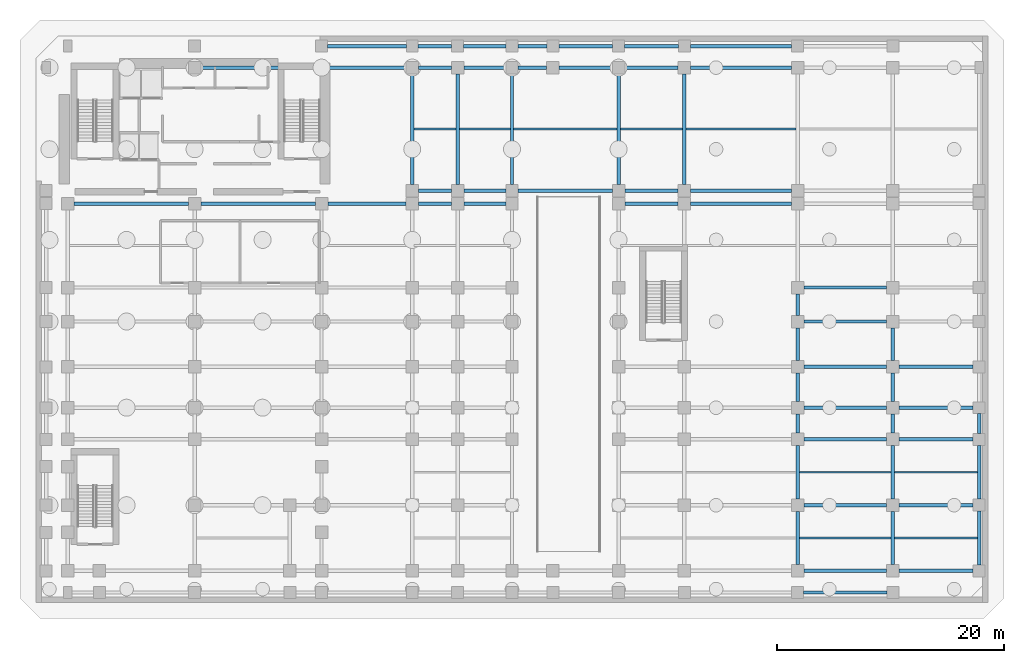
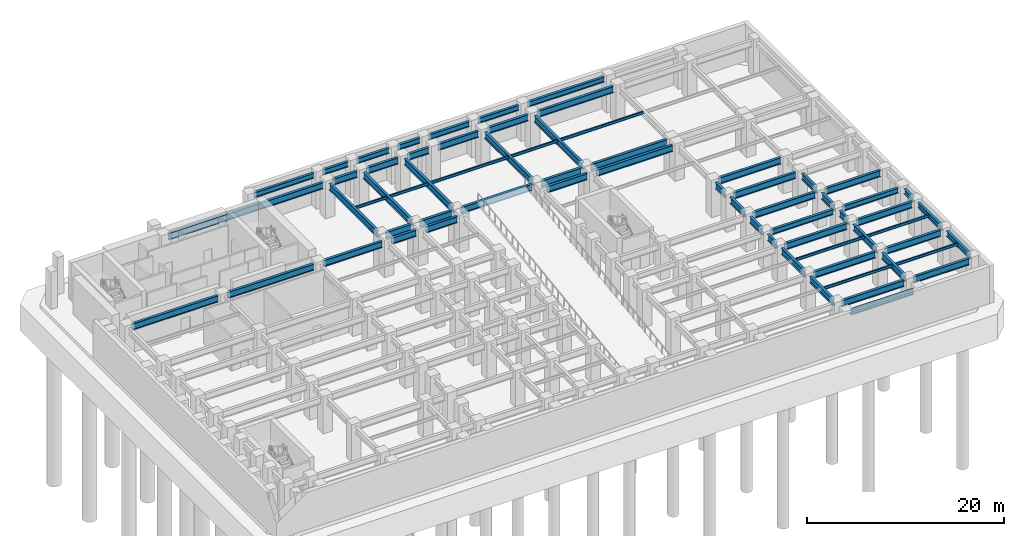
# One storey, part 4 of 13: 67 beams.
"""IFC4 building model written with IfcOpenShell, lengths in metres."""

from ifc_helpers import new_model, si_unit, direction, frame, origin, origin_2d, place, context, subcontext, project, spatial, i_section, extrude, material, material_profile, profile_set, type_object, element, save


model = new_model("IFC4")

# Units and contexts
model_context = context("Model", 3, precision=1e-05, world=origin(), true_north=direction((0.0, 1.0)))
body_context = subcontext(model_context, "Body", "Model", "MODEL_VIEW")
ifc_project = project(units=[si_unit("LENGTHUNIT", "METRE"), si_unit("AREAUNIT", "SQUARE_METRE"), si_unit("VOLUMEUNIT", "CUBIC_METRE"), si_unit("PLANEANGLEUNIT", "RADIAN"), si_unit("MASSUNIT", "GRAM", prefix="KILO")], contexts=[model_context])

# Site, building, storey
site_placement = place(None, origin())
site = spatial("IfcSite", under=ifc_project, at=site_placement, CompositionType="ELEMENT")
building_placement = place(site_placement, origin())
building = spatial("IfcBuilding", under=site, at=building_placement, Name="Kefirva Bronze Tower", CompositionType="ELEMENT")
storey_placement = place(building_placement, frame((0.0, 0.0, -9.239990234375)))
storey = spatial("IfcBuildingStorey", under=building, at=storey_placement, Name="B2", CompositionType="ELEMENT", Elevation=-9.239990234375)

# Beams
ifc_material = material(Name="Steel S355", Category="steel")
ifc_material_profile_1 = material_profile(ifc_material, i_section(OverallWidth=0.159912109375, OverallDepth=0.330078125, WebThickness=0.007568359375, FlangeThickness=0.011474609375, at=origin_2d()), Name="IPE 330")
ifc_profile_set_1 = profile_set([ifc_material_profile_1], Name="Steel S355")
beam_type_1 = type_object("IfcBeamType", Name="Steel Floor Joist IPE 330", PredefinedType="JOIST", material=ifc_profile_set_1)
beam_1_placement = place(storey_placement, frame((31.35009765625, 39.77490234375, 4.10498046875), z_axis=(1.0, 0.0, 0.0), x_axis=(0.0, 1.0, 0.0)))
element("IfcBeam", 1, at=beam_1_placement, inside=storey, type_object=beam_type_1, Name="B2 JST-B2-31-397", PredefinedType="JOIST", context=body_context, shape_type="SweptSolid", body=[
    extrude(i_section(OverallWidth=0.159912109375, OverallDepth=0.330078125, WebThickness=0.007568359375, FlangeThickness=0.011474609375, at=origin_2d()), origin(), (0.0, 0.0, 1.0), 3.699951171875),
])
beam_2_placement = place(storey_placement, frame((35.35009765625, 39.77490234375, 4.10498046875), z_axis=(1.0, 0.0, 0.0), x_axis=(0.0, 1.0, 0.0)))
element("IfcBeam", 2, at=beam_2_placement, inside=storey, type_object=beam_type_1, Name="B2 JST-B2-35-397", PredefinedType="JOIST", context=body_context, shape_type="SweptSolid", body=[
    extrude(i_section(OverallWidth=0.159912109375, OverallDepth=0.330078125, WebThickness=0.007568359375, FlangeThickness=0.011474609375, at=origin_2d()), origin(), (0.0, 0.0, 1.0), 4.5),
])
beam_3_placement = place(storey_placement, frame((40.14990234375, 39.77490234375, 4.10498046875), z_axis=(1.0, 0.0, 0.0), x_axis=(0.0, 1.0, 0.0)))
element("IfcBeam", 3, at=beam_3_placement, inside=storey, type_object=beam_type_1, Name="B2 JST-B2-40-397", PredefinedType="JOIST", context=body_context, shape_type="SweptSolid", body=[
    extrude(i_section(OverallWidth=0.159912109375, OverallDepth=0.330078125, WebThickness=0.007568359375, FlangeThickness=0.011474609375, at=origin_2d()), origin(), (0.0, 0.0, 1.0), 9.10009765625),
])
beam_4_placement = place(storey_placement, frame((49.550048828125, 39.77490234375, 4.10498046875), z_axis=(1.0, 0.0, 0.0), x_axis=(0.0, 1.0, 0.0)))
element("IfcBeam", 4, at=beam_4_placement, inside=storey, type_object=beam_type_1, Name="B2 JST-B2-49-397", PredefinedType="JOIST", context=body_context, shape_type="SweptSolid", body=[
    extrude(i_section(OverallWidth=0.159912109375, OverallDepth=0.330078125, WebThickness=0.007568359375, FlangeThickness=0.011474609375, at=origin_2d()), origin(), (0.0, 0.0, 1.0), 5.5),
])
beam_5_placement = place(storey_placement, frame((55.35009765625, 39.77490234375, 4.10498046875), z_axis=(1.0, 0.0, 0.0), x_axis=(0.0, 1.0, 0.0)))
element("IfcBeam", 5, at=beam_5_placement, inside=storey, type_object=beam_type_1, Name="B2 JST-B2-55-397", PredefinedType="JOIST", context=body_context, shape_type="SweptSolid", body=[
    extrude(i_section(OverallWidth=0.159912109375, OverallDepth=0.330078125, WebThickness=0.007568359375, FlangeThickness=0.011474609375, at=origin_2d()), origin(), (0.0, 0.0, 1.0), 9.699951171875),
])
for number, where, z_axis, x_axis, name in (
    (6, (65.35009765625, 3.699951171875, 4.10498046875), (1.0, 0.0, 0.0), (0.0, 1.0, 0.0), "B2 JST-B2-65-37"),
    (7, (65.35009765625, 9.5, 4.10498046875), (1.0, 0.0, 0.0), (0.0, 1.0, 0.0), "B2 JST-B2-65-95"),
):
    element("IfcBeam", number, at=place(storey_placement, frame(where, z_axis=z_axis, x_axis=x_axis)), inside=storey, type_object=beam_type_1, Name=name, PredefinedType="JOIST", context=body_context, shape_type="SweptSolid", body=[
        extrude(i_section(OverallWidth=0.159912109375, OverallDepth=0.330078125, WebThickness=0.007568359375, FlangeThickness=0.011474609375, at=origin_2d()), origin(), (0.0, 0.0, 1.0), 8.099853515625),
    ])
for number, where, z_axis, x_axis, name in (
    (8, (73.75, 3.699951171875, 4.10498046875), (1.0, 0.0, 0.0), (0.0, 1.0, 0.0), "B2 JST-B2-73-37"),
    (9, (73.75, 9.5, 4.10498046875), (1.0, 0.0, 0.0), (0.0, 1.0, 0.0), "B2 JST-B2-73-95"),
):
    element("IfcBeam", number, at=place(storey_placement, frame(where, z_axis=z_axis, x_axis=x_axis)), inside=storey, type_object=beam_type_1, Name=name, PredefinedType="JOIST", context=body_context, shape_type="SweptSolid", body=[
        extrude(i_section(OverallWidth=0.159912109375, OverallDepth=0.330078125, WebThickness=0.007568359375, FlangeThickness=0.011474609375, at=origin_2d()), origin(), (0.0, 0.0, 1.0), 7.300048828125),
    ])
ifc_material_profile_2 = material_profile(ifc_material, i_section(OverallWidth=0.300048828125, OverallDepth=0.800048828125, WebThickness=0.017578125, FlangeThickness=0.032958984375, at=origin_2d()), Name="HEB 800")
ifc_profile_set_2 = profile_set([ifc_material_profile_2], Name="Steel S355")
beam_type_2 = type_object("IfcBeamType", Name="Steel Girder HEB 800", PredefinedType="USERDEFINED", material=ifc_profile_set_2)
beam_6_placement = place(storey_placement, frame((65.75, 0.800048828125, 3.869873046875), z_axis=(1.0, 0.0, 0.0), x_axis=(0.0, 1.0, 0.0)))
element("IfcBeam", 10, at=beam_6_placement, inside=storey, type_object=beam_type_2, Name="B2 BM-B2-EW-65-8", ObjectType="GIRDER", PredefinedType="USERDEFINED", context=body_context, shape_type="SweptSolid", body=[
    extrude(i_section(OverallWidth=0.300048828125, OverallDepth=0.800048828125, WebThickness=0.017578125, FlangeThickness=0.032958984375, at=origin_2d()), origin(), (0.0, 0.0, 1.0), 7.300048828125),
])
beam_7_placement = place(storey_placement, frame((74.14990234375, 0.800048828125, 3.869873046875), z_axis=(1.0, 0.0, 0.0), x_axis=(0.0, 1.0, 0.0)))
element("IfcBeam", 11, at=beam_7_placement, inside=storey, type_object=beam_type_2, Name="B2 BM-B2-EW-73-8", ObjectType="GIRDER", PredefinedType="USERDEFINED", context=body_context, shape_type="SweptSolid", body=[
    extrude(i_section(OverallWidth=0.300048828125, OverallDepth=0.800048828125, WebThickness=0.017578125, FlangeThickness=0.032958984375, at=origin_2d()), origin(), (0.0, 0.0, 1.0), 6.525146484375),
])
beam_8_placement = place(storey_placement, frame((65.75, 6.60009765625, 3.869873046875), z_axis=(1.0, 0.0, 0.0), x_axis=(0.0, 1.0, 0.0)))
element("IfcBeam", 12, at=beam_8_placement, inside=storey, type_object=beam_type_2, Name="B2 BM-B2-EW-65-66", ObjectType="GIRDER", PredefinedType="USERDEFINED", context=body_context, shape_type="SweptSolid", body=[
    extrude(i_section(OverallWidth=0.300048828125, OverallDepth=0.800048828125, WebThickness=0.017578125, FlangeThickness=0.032958984375, at=origin_2d()), origin(), (0.0, 0.0, 1.0), 7.300048828125),
])
beam_9_placement = place(storey_placement, frame((74.14990234375, 6.60009765625, 3.869873046875), z_axis=(1.0, 0.0, 0.0), x_axis=(0.0, 1.0, 0.0)))
element("IfcBeam", 13, at=beam_9_placement, inside=storey, type_object=beam_type_2, Name="B2 BM-B2-EW-73-66", ObjectType="GIRDER", PredefinedType="USERDEFINED", context=body_context, shape_type="SweptSolid", body=[
    extrude(i_section(OverallWidth=0.300048828125, OverallDepth=0.800048828125, WebThickness=0.017578125, FlangeThickness=0.032958984375, at=origin_2d()), origin(), (0.0, 0.0, 1.0), 6.525146484375),
])
beam_10_placement = place(storey_placement, frame((65.75, 12.39990234375, 3.869873046875), z_axis=(1.0, 0.0, 0.0), x_axis=(0.0, 1.0, 0.0)))
element("IfcBeam", 14, at=beam_10_placement, inside=storey, type_object=beam_type_2, Name="B2 BM-B2-EW-65-124", ObjectType="GIRDER", PredefinedType="USERDEFINED", context=body_context, shape_type="SweptSolid", body=[
    extrude(i_section(OverallWidth=0.300048828125, OverallDepth=0.800048828125, WebThickness=0.017578125, FlangeThickness=0.032958984375, at=origin_2d()), origin(), (0.0, 0.0, 1.0), 7.300048828125),
])
beam_11_placement = place(storey_placement, frame((74.14990234375, 12.39990234375, 3.869873046875), z_axis=(1.0, 0.0, 0.0), x_axis=(0.0, 1.0, 0.0)))
element("IfcBeam", 15, at=beam_11_placement, inside=storey, type_object=beam_type_2, Name="B2 BM-B2-EW-73-124", ObjectType="GIRDER", PredefinedType="USERDEFINED", context=body_context, shape_type="SweptSolid", body=[
    extrude(i_section(OverallWidth=0.300048828125, OverallDepth=0.800048828125, WebThickness=0.017578125, FlangeThickness=0.032958984375, at=origin_2d()), origin(), (0.0, 0.0, 1.0), 6.525146484375),
])
beam_12_placement = place(storey_placement, frame((65.75, 18.800048828125, 3.869873046875), z_axis=(1.0, 0.0, 0.0), x_axis=(0.0, 1.0, 0.0)))
element("IfcBeam", 16, at=beam_12_placement, inside=storey, type_object=beam_type_2, Name="B2 BM-B2-EW-65-188", ObjectType="GIRDER", PredefinedType="USERDEFINED", context=body_context, shape_type="SweptSolid", body=[
    extrude(i_section(OverallWidth=0.300048828125, OverallDepth=0.800048828125, WebThickness=0.017578125, FlangeThickness=0.032958984375, at=origin_2d()), origin(), (0.0, 0.0, 1.0), 7.300048828125),
])
beam_13_placement = place(storey_placement, frame((74.14990234375, 18.800048828125, 3.869873046875), z_axis=(1.0, 0.0, 0.0), x_axis=(0.0, 1.0, 0.0)))
element("IfcBeam", 17, at=beam_13_placement, inside=storey, type_object=beam_type_2, Name="B2 BM-B2-EW-73-188", ObjectType="GIRDER", PredefinedType="USERDEFINED", context=body_context, shape_type="SweptSolid", body=[
    extrude(i_section(OverallWidth=0.300048828125, OverallDepth=0.800048828125, WebThickness=0.017578125, FlangeThickness=0.032958984375, at=origin_2d()), origin(), (0.0, 0.0, 1.0), 6.525146484375),
])
for number, where, z_axis, x_axis, name in (
    (18, (65.75, 22.800048828125, 3.869873046875), (1.0, 0.0, 0.0), (0.0, 1.0, 0.0), "B2 BM-B2-EW-65-228"),
    (19, (65.75, 25.800048828125, 3.869873046875), (1.0, 0.0, 0.0), (0.0, 1.0, 0.0), "B2 BM-B2-EW-65-258"),
):
    element("IfcBeam", number, at=place(storey_placement, frame(where, z_axis=z_axis, x_axis=x_axis)), inside=storey, type_object=beam_type_2, Name=name, ObjectType="GIRDER", PredefinedType="USERDEFINED", context=body_context, shape_type="SweptSolid", body=[
        extrude(i_section(OverallWidth=0.300048828125, OverallDepth=0.800048828125, WebThickness=0.017578125, FlangeThickness=0.032958984375, at=origin_2d()), origin(), (0.0, 0.0, 1.0), 7.300048828125),
    ])
for number, where, z_axis, x_axis, name in (
    (20, (1.35009765625, 33.199951171875, 3.869873046875), (1.0, 0.0, 0.0), (0.0, 1.0, 0.0), "B2 BM-B2-EW-0-332"),
    (21, (12.550048828125, 33.199951171875, 3.869873046875), (1.0, 0.0, 0.0), (0.0, 1.0, 0.0), "B2 BM-B2-EW-12-332"),
):
    element("IfcBeam", number, at=place(storey_placement, frame(where, z_axis=z_axis, x_axis=x_axis)), inside=storey, type_object=beam_type_2, Name=name, ObjectType="GIRDER", PredefinedType="USERDEFINED", context=body_context, shape_type="SweptSolid", body=[
        extrude(i_section(OverallWidth=0.300048828125, OverallDepth=0.800048828125, WebThickness=0.017578125, FlangeThickness=0.032958984375, at=origin_2d()), origin(), (0.0, 0.0, 1.0), 10.099853515625),
    ])
beam_14_placement = place(storey_placement, frame((23.75, 33.199951171875, 3.869873046875), z_axis=(1.0, 0.0, 0.0), x_axis=(0.0, 1.0, 0.0)))
element("IfcBeam", 22, at=beam_14_placement, inside=storey, type_object=beam_type_2, Name="B2 BM-B2-EW-23-332", ObjectType="GIRDER", PredefinedType="USERDEFINED", context=body_context, shape_type="SweptSolid", body=[
    extrude(i_section(OverallWidth=0.300048828125, OverallDepth=0.800048828125, WebThickness=0.017578125, FlangeThickness=0.032958984375, at=origin_2d()), origin(), (0.0, 0.0, 1.0), 6.89990234375),
])
beam_15_placement = place(storey_placement, frame((31.75, 33.199951171875, 3.869873046875), z_axis=(1.0, 0.0, 0.0), x_axis=(0.0, 1.0, 0.0)))
element("IfcBeam", 23, at=beam_15_placement, inside=storey, type_object=beam_type_2, Name="B2 BM-B2-EW-31-332", ObjectType="GIRDER", PredefinedType="USERDEFINED", context=body_context, shape_type="SweptSolid", body=[
    extrude(i_section(OverallWidth=0.300048828125, OverallDepth=0.800048828125, WebThickness=0.017578125, FlangeThickness=0.032958984375, at=origin_2d()), origin(), (0.0, 0.0, 1.0), 2.89990234375),
])
beam_16_placement = place(storey_placement, frame((35.75, 33.199951171875, 3.869873046875), z_axis=(1.0, 0.0, 0.0), x_axis=(0.0, 1.0, 0.0)))
element("IfcBeam", 24, at=beam_16_placement, inside=storey, type_object=beam_type_2, Name="B2 BM-B2-EW-35-332", ObjectType="GIRDER", PredefinedType="USERDEFINED", context=body_context, shape_type="SweptSolid", body=[
    extrude(i_section(OverallWidth=0.300048828125, OverallDepth=0.800048828125, WebThickness=0.017578125, FlangeThickness=0.032958984375, at=origin_2d()), origin(), (0.0, 0.0, 1.0), 3.699951171875),
])
beam_17_placement = place(storey_placement, frame((49.949951171875, 33.199951171875, 3.869873046875), z_axis=(1.0, 0.0, 0.0), x_axis=(0.0, 1.0, 0.0)))
element("IfcBeam", 25, at=beam_17_placement, inside=storey, type_object=beam_type_2, Name="B2 BM-B2-EW-49-332", ObjectType="GIRDER", PredefinedType="USERDEFINED", context=body_context, shape_type="SweptSolid", body=[
    extrude(i_section(OverallWidth=0.300048828125, OverallDepth=0.800048828125, WebThickness=0.017578125, FlangeThickness=0.032958984375, at=origin_2d()), origin(), (0.0, 0.0, 1.0), 4.699951171875),
])
beam_18_placement = place(storey_placement, frame((55.75, 33.199951171875, 3.869873046875), z_axis=(1.0, 0.0, 0.0), x_axis=(0.0, 1.0, 0.0)))
element("IfcBeam", 26, at=beam_18_placement, inside=storey, type_object=beam_type_2, Name="B2 BM-B2-EW-55-332", ObjectType="GIRDER", PredefinedType="USERDEFINED", context=body_context, shape_type="SweptSolid", body=[
    extrude(i_section(OverallWidth=0.300048828125, OverallDepth=0.800048828125, WebThickness=0.017578125, FlangeThickness=0.032958984375, at=origin_2d()), origin(), (0.0, 0.0, 1.0), 8.89990234375),
])
beam_19_placement = place(storey_placement, frame((31.75, 34.35009765625, 3.869873046875), z_axis=(1.0, 0.0, 0.0), x_axis=(0.0, 1.0, 0.0)))
element("IfcBeam", 27, at=beam_19_placement, inside=storey, type_object=beam_type_2, Name="B2 BM-B2-EW-31-344", ObjectType="GIRDER", PredefinedType="USERDEFINED", context=body_context, shape_type="SweptSolid", body=[
    extrude(i_section(OverallWidth=0.300048828125, OverallDepth=0.800048828125, WebThickness=0.017578125, FlangeThickness=0.032958984375, at=origin_2d()), origin(), (0.0, 0.0, 1.0), 2.89990234375),
])
beam_20_placement = place(storey_placement, frame((35.75, 34.35009765625, 3.869873046875), z_axis=(1.0, 0.0, 0.0), x_axis=(0.0, 1.0, 0.0)))
element("IfcBeam", 28, at=beam_20_placement, inside=storey, type_object=beam_type_2, Name="B2 BM-B2-EW-35-344", ObjectType="GIRDER", PredefinedType="USERDEFINED", context=body_context, shape_type="SweptSolid", body=[
    extrude(i_section(OverallWidth=0.300048828125, OverallDepth=0.800048828125, WebThickness=0.017578125, FlangeThickness=0.032958984375, at=origin_2d()), origin(), (0.0, 0.0, 1.0), 3.699951171875),
])
beam_21_placement = place(storey_placement, frame((40.550048828125, 34.35009765625, 3.869873046875), z_axis=(1.0, 0.0, 0.0), x_axis=(0.0, 1.0, 0.0)))
element("IfcBeam", 29, at=beam_21_placement, inside=storey, type_object=beam_type_2, Name="B2 BM-B2-EW-40-344", ObjectType="GIRDER", PredefinedType="USERDEFINED", context=body_context, shape_type="SweptSolid", body=[
    extrude(i_section(OverallWidth=0.300048828125, OverallDepth=0.800048828125, WebThickness=0.017578125, FlangeThickness=0.032958984375, at=origin_2d()), origin(), (0.0, 0.0, 1.0), 8.300048828125),
])
beam_22_placement = place(storey_placement, frame((49.949951171875, 34.35009765625, 3.869873046875), z_axis=(1.0, 0.0, 0.0), x_axis=(0.0, 1.0, 0.0)))
element("IfcBeam", 30, at=beam_22_placement, inside=storey, type_object=beam_type_2, Name="B2 BM-B2-EW-49-344", ObjectType="GIRDER", PredefinedType="USERDEFINED", context=body_context, shape_type="SweptSolid", body=[
    extrude(i_section(OverallWidth=0.300048828125, OverallDepth=0.800048828125, WebThickness=0.017578125, FlangeThickness=0.032958984375, at=origin_2d()), origin(), (0.0, 0.0, 1.0), 4.699951171875),
])
beam_23_placement = place(storey_placement, frame((55.75, 34.35009765625, 3.869873046875), z_axis=(1.0, 0.0, 0.0), x_axis=(0.0, 1.0, 0.0)))
element("IfcBeam", 31, at=beam_23_placement, inside=storey, type_object=beam_type_2, Name="B2 BM-B2-EW-55-344", ObjectType="GIRDER", PredefinedType="USERDEFINED", context=body_context, shape_type="SweptSolid", body=[
    extrude(i_section(OverallWidth=0.300048828125, OverallDepth=0.800048828125, WebThickness=0.017578125, FlangeThickness=0.032958984375, at=origin_2d()), origin(), (0.0, 0.0, 1.0), 8.89990234375),
])
beam_24_placement = place(storey_placement, frame((12.550048828125, 45.199951171875, 3.869873046875), z_axis=(1.0, 0.0, 0.0), x_axis=(0.0, 1.0, 0.0)))
element("IfcBeam", 32, at=beam_24_placement, inside=storey, type_object=beam_type_2, Name="B2 BM-B2-EW-12-452", ObjectType="GIRDER", PredefinedType="USERDEFINED", context=body_context, shape_type="SweptSolid", body=[
    extrude(i_section(OverallWidth=0.300048828125, OverallDepth=0.800048828125, WebThickness=0.017578125, FlangeThickness=0.032958984375, at=origin_2d()), origin(), (0.0, 0.0, 1.0), 18.099853515625),
])
beam_25_placement = place(storey_placement, frame((31.75, 45.199951171875, 3.869873046875), z_axis=(1.0, 0.0, 0.0), x_axis=(0.0, 1.0, 0.0)))
element("IfcBeam", 33, at=beam_25_placement, inside=storey, type_object=beam_type_2, Name="B2 BM-B2-EW-31-452", ObjectType="GIRDER", PredefinedType="USERDEFINED", context=body_context, shape_type="SweptSolid", body=[
    extrude(i_section(OverallWidth=0.300048828125, OverallDepth=0.800048828125, WebThickness=0.017578125, FlangeThickness=0.032958984375, at=origin_2d()), origin(), (0.0, 0.0, 1.0), 2.89990234375),
])
beam_26_placement = place(storey_placement, frame((35.75, 45.199951171875, 3.869873046875), z_axis=(1.0, 0.0, 0.0), x_axis=(0.0, 1.0, 0.0)))
element("IfcBeam", 34, at=beam_26_placement, inside=storey, type_object=beam_type_2, Name="B2 BM-B2-EW-35-452", ObjectType="GIRDER", PredefinedType="USERDEFINED", context=body_context, shape_type="SweptSolid", body=[
    extrude(i_section(OverallWidth=0.300048828125, OverallDepth=0.800048828125, WebThickness=0.017578125, FlangeThickness=0.032958984375, at=origin_2d()), origin(), (0.0, 0.0, 1.0), 3.699951171875),
])
beam_27_placement = place(storey_placement, frame((40.550048828125, 45.199951171875, 3.869873046875), z_axis=(1.0, 0.0, 0.0), x_axis=(0.0, 1.0, 0.0)))
element("IfcBeam", 35, at=beam_27_placement, inside=storey, type_object=beam_type_2, Name="B2 BM-B2-EW-40-452", ObjectType="GIRDER", PredefinedType="USERDEFINED", context=body_context, shape_type="SweptSolid", body=[
    extrude(i_section(OverallWidth=0.300048828125, OverallDepth=0.800048828125, WebThickness=0.017578125, FlangeThickness=0.032958984375, at=origin_2d()), origin(), (0.0, 0.0, 1.0), 2.5),
])
beam_28_placement = place(storey_placement, frame((44.14990234375, 45.199951171875, 3.869873046875), z_axis=(1.0, 0.0, 0.0), x_axis=(0.0, 1.0, 0.0)))
element("IfcBeam", 36, at=beam_28_placement, inside=storey, type_object=beam_type_2, Name="B2 BM-B2-EW-43-452", ObjectType="GIRDER", PredefinedType="USERDEFINED", context=body_context, shape_type="SweptSolid", body=[
    extrude(i_section(OverallWidth=0.300048828125, OverallDepth=0.800048828125, WebThickness=0.017578125, FlangeThickness=0.032958984375, at=origin_2d()), origin(), (0.0, 0.0, 1.0), 4.7001953125),
])
beam_29_placement = place(storey_placement, frame((49.949951171875, 45.199951171875, 3.869873046875), z_axis=(1.0, 0.0, 0.0), x_axis=(0.0, 1.0, 0.0)))
element("IfcBeam", 37, at=beam_29_placement, inside=storey, type_object=beam_type_2, Name="B2 BM-B2-EW-49-452", ObjectType="GIRDER", PredefinedType="USERDEFINED", context=body_context, shape_type="SweptSolid", body=[
    extrude(i_section(OverallWidth=0.300048828125, OverallDepth=0.800048828125, WebThickness=0.017578125, FlangeThickness=0.032958984375, at=origin_2d()), origin(), (0.0, 0.0, 1.0), 4.699951171875),
])
beam_30_placement = place(storey_placement, frame((55.75, 45.199951171875, 3.869873046875), z_axis=(1.0, 0.0, 0.0), x_axis=(0.0, 1.0, 0.0)))
element("IfcBeam", 38, at=beam_30_placement, inside=storey, type_object=beam_type_2, Name="B2 BM-B2-EW-55-452", ObjectType="GIRDER", PredefinedType="USERDEFINED", context=body_context, shape_type="SweptSolid", body=[
    extrude(i_section(OverallWidth=0.300048828125, OverallDepth=0.800048828125, WebThickness=0.017578125, FlangeThickness=0.032958984375, at=origin_2d()), origin(), (0.0, 0.0, 1.0), 8.89990234375),
])
for number, where, z_axis, x_axis, name in (
    (39, (31.199951171875, 34.89990234375, 3.869873046875), (0.0, 1.0, 0.0), (-1.0, 0.0, 0.0), "B2 BM-B2-NS-312-34"),
    (40, (35.199951171875, 34.89990234375, 3.869873046875), (0.0, 1.0, 0.0), (-1.0, 0.0, 0.0), "B2 BM-B2-NS-352-34"),
    (41, (40.0, 34.89990234375, 3.869873046875), (0.0, 1.0, 0.0), (-1.0, 0.0, 0.0), "B2 BM-B2-NS-400-34"),
    (42, (49.39990234375, 34.89990234375, 3.869873046875), (0.0, 1.0, 0.0), (-1.0, 0.0, 0.0), "B2 BM-B2-NS-494-34"),
    (43, (55.199951171875, 34.89990234375, 3.869873046875), (0.0, 1.0, 0.0), (-1.0, 0.0, 0.0), "B2 BM-B2-NS-552-34"),
):
    element("IfcBeam", number, at=place(storey_placement, frame(where, z_axis=z_axis, x_axis=x_axis)), inside=storey, type_object=beam_type_2, Name=name, ObjectType="GIRDER", PredefinedType="USERDEFINED", context=body_context, shape_type="SweptSolid", body=[
        extrude(i_section(OverallWidth=0.300048828125, OverallDepth=0.800048828125, WebThickness=0.017578125, FlangeThickness=0.032958984375, at=origin_2d()), origin(), (0.0, 0.0, 1.0), 9.75),
    ])
beam_31_placement = place(storey_placement, frame((65.199951171875, 1.35009765625, 3.869873046875), z_axis=(0.0, 1.0, 0.0), x_axis=(-1.0, 0.0, 0.0)))
element("IfcBeam", 44, at=beam_31_placement, inside=storey, type_object=beam_type_2, Name="B2 BM-B2-NS-652-0", ObjectType="GIRDER", PredefinedType="USERDEFINED", context=body_context, shape_type="SweptSolid", body=[
    extrude(i_section(OverallWidth=0.300048828125, OverallDepth=0.800048828125, WebThickness=0.017578125, FlangeThickness=0.032958984375, at=origin_2d()), origin(), (0.0, 0.0, 1.0), 4.699951171875),
])
beam_32_placement = place(storey_placement, frame((65.199951171875, 7.14990234375, 3.869873046875), z_axis=(0.0, 1.0, 0.0), x_axis=(-1.0, 0.0, 0.0)))
element("IfcBeam", 45, at=beam_32_placement, inside=storey, type_object=beam_type_2, Name="B2 BM-B2-NS-652-6", ObjectType="GIRDER", PredefinedType="USERDEFINED", context=body_context, shape_type="SweptSolid", body=[
    extrude(i_section(OverallWidth=0.300048828125, OverallDepth=0.800048828125, WebThickness=0.017578125, FlangeThickness=0.032958984375, at=origin_2d()), origin(), (0.0, 0.0, 1.0), 4.7001953125),
])
beam_33_placement = place(storey_placement, frame((65.199951171875, 12.949951171875, 3.869873046875), z_axis=(0.0, 1.0, 0.0), x_axis=(-1.0, 0.0, 0.0)))
element("IfcBeam", 46, at=beam_33_placement, inside=storey, type_object=beam_type_2, Name="B2 BM-B2-NS-652-12", ObjectType="GIRDER", PredefinedType="USERDEFINED", context=body_context, shape_type="SweptSolid", body=[
    extrude(i_section(OverallWidth=0.300048828125, OverallDepth=0.800048828125, WebThickness=0.017578125, FlangeThickness=0.032958984375, at=origin_2d()), origin(), (0.0, 0.0, 1.0), 1.699951171875),
])
beam_34_placement = place(storey_placement, frame((65.199951171875, 15.75, 3.869873046875), z_axis=(0.0, 1.0, 0.0), x_axis=(-1.0, 0.0, 0.0)))
element("IfcBeam", 47, at=beam_34_placement, inside=storey, type_object=beam_type_2, Name="B2 BM-B2-NS-652-15", ObjectType="GIRDER", PredefinedType="USERDEFINED", context=body_context, shape_type="SweptSolid", body=[
    extrude(i_section(OverallWidth=0.300048828125, OverallDepth=0.800048828125, WebThickness=0.017578125, FlangeThickness=0.032958984375, at=origin_2d()), origin(), (0.0, 0.0, 1.0), 2.5),
])
beam_35_placement = place(storey_placement, frame((65.199951171875, 19.35009765625, 3.869873046875), z_axis=(0.0, 1.0, 0.0), x_axis=(-1.0, 0.0, 0.0)))
element("IfcBeam", 48, at=beam_35_placement, inside=storey, type_object=beam_type_2, Name="B2 BM-B2-NS-652-18", ObjectType="GIRDER", PredefinedType="USERDEFINED", context=body_context, shape_type="SweptSolid", body=[
    extrude(i_section(OverallWidth=0.300048828125, OverallDepth=0.800048828125, WebThickness=0.017578125, FlangeThickness=0.032958984375, at=origin_2d()), origin(), (0.0, 0.0, 1.0), 2.89990234375),
])
beam_36_placement = place(storey_placement, frame((65.199951171875, 23.35009765625, 3.869873046875), z_axis=(0.0, 1.0, 0.0), x_axis=(-1.0, 0.0, 0.0)))
element("IfcBeam", 49, at=beam_36_placement, inside=storey, type_object=beam_type_2, Name="B2 BM-B2-NS-652-22", ObjectType="GIRDER", PredefinedType="USERDEFINED", context=body_context, shape_type="SweptSolid", body=[
    extrude(i_section(OverallWidth=0.300048828125, OverallDepth=0.800048828125, WebThickness=0.017578125, FlangeThickness=0.032958984375, at=origin_2d()), origin(), (0.0, 0.0, 1.0), 1.89990234375),
])
beam_37_placement = place(storey_placement, frame((73.60009765625, 1.35009765625, 3.869873046875), z_axis=(0.0, 1.0, 0.0), x_axis=(-1.0, 0.0, 0.0)))
element("IfcBeam", 50, at=beam_37_placement, inside=storey, type_object=beam_type_2, Name="B2 BM-B2-NS-736-0", ObjectType="GIRDER", PredefinedType="USERDEFINED", context=body_context, shape_type="SweptSolid", body=[
    extrude(i_section(OverallWidth=0.300048828125, OverallDepth=0.800048828125, WebThickness=0.017578125, FlangeThickness=0.032958984375, at=origin_2d()), origin(), (0.0, 0.0, 1.0), 4.699951171875),
])
beam_38_placement = place(storey_placement, frame((73.60009765625, 7.14990234375, 3.869873046875), z_axis=(0.0, 1.0, 0.0), x_axis=(-1.0, 0.0, 0.0)))
element("IfcBeam", 51, at=beam_38_placement, inside=storey, type_object=beam_type_2, Name="B2 BM-B2-NS-736-6", ObjectType="GIRDER", PredefinedType="USERDEFINED", context=body_context, shape_type="SweptSolid", body=[
    extrude(i_section(OverallWidth=0.300048828125, OverallDepth=0.800048828125, WebThickness=0.017578125, FlangeThickness=0.032958984375, at=origin_2d()), origin(), (0.0, 0.0, 1.0), 4.7001953125),
])
beam_39_placement = place(storey_placement, frame((73.60009765625, 12.949951171875, 3.869873046875), z_axis=(0.0, 1.0, 0.0), x_axis=(-1.0, 0.0, 0.0)))
element("IfcBeam", 52, at=beam_39_placement, inside=storey, type_object=beam_type_2, Name="B2 BM-B2-NS-736-12", ObjectType="GIRDER", PredefinedType="USERDEFINED", context=body_context, shape_type="SweptSolid", body=[
    extrude(i_section(OverallWidth=0.300048828125, OverallDepth=0.800048828125, WebThickness=0.017578125, FlangeThickness=0.032958984375, at=origin_2d()), origin(), (0.0, 0.0, 1.0), 1.699951171875),
])
beam_40_placement = place(storey_placement, frame((73.60009765625, 15.75, 3.869873046875), z_axis=(0.0, 1.0, 0.0), x_axis=(-1.0, 0.0, 0.0)))
element("IfcBeam", 53, at=beam_40_placement, inside=storey, type_object=beam_type_2, Name="B2 BM-B2-NS-736-15", ObjectType="GIRDER", PredefinedType="USERDEFINED", context=body_context, shape_type="SweptSolid", body=[
    extrude(i_section(OverallWidth=0.300048828125, OverallDepth=0.800048828125, WebThickness=0.017578125, FlangeThickness=0.032958984375, at=origin_2d()), origin(), (0.0, 0.0, 1.0), 2.5),
])
beam_41_placement = place(storey_placement, frame((73.60009765625, 19.35009765625, 3.869873046875), z_axis=(0.0, 1.0, 0.0), x_axis=(-1.0, 0.0, 0.0)))
element("IfcBeam", 54, at=beam_41_placement, inside=storey, type_object=beam_type_2, Name="B2 BM-B2-NS-736-18", ObjectType="GIRDER", PredefinedType="USERDEFINED", context=body_context, shape_type="SweptSolid", body=[
    extrude(i_section(OverallWidth=0.300048828125, OverallDepth=0.800048828125, WebThickness=0.017578125, FlangeThickness=0.032958984375, at=origin_2d()), origin(), (0.0, 0.0, 1.0), 2.89990234375),
])
ifc_material_profile_3 = material_profile(ifc_material, i_section(OverallWidth=0.300048828125, OverallDepth=0.64990234375, WebThickness=0.01611328125, FlangeThickness=0.031005859375, at=origin_2d()), Name="HEB 650")
ifc_profile_set_3 = profile_set([ifc_material_profile_3], Name="Steel S355")
beam_type_3 = type_object("IfcBeamType", Name="Steel Spandrel HEB 650 Ext", PredefinedType="SPANDREL", material=ifc_profile_set_3)
beam_42_placement = place(storey_placement, frame((65.72509765625, -1.10009765625, 3.945068359375), z_axis=(1.0, 0.0, 0.0), x_axis=(0.0, 1.0, 0.0)))
element("IfcBeam", 55, at=beam_42_placement, inside=storey, type_object=beam_type_3, Name="B2 BM-B2-EW-65--11", PredefinedType="SPANDREL", context=body_context, shape_type="SweptSolid", body=[
    extrude(i_section(OverallWidth=0.300048828125, OverallDepth=0.64990234375, WebThickness=0.01611328125, FlangeThickness=0.031005859375, at=origin_2d()), origin(), (0.0, 0.0, 1.0), 7.349853515625),
])
beam_43_placement = place(storey_placement, frame((65.75, 15.199951171875, 3.945068359375), z_axis=(1.0, 0.0, 0.0), x_axis=(0.0, 1.0, 0.0)))
element("IfcBeam", 56, at=beam_43_placement, inside=storey, type_object=beam_type_3, Name="B2 BM-B2-EW-65-152", PredefinedType="SPANDREL", context=body_context, shape_type="SweptSolid", body=[
    extrude(i_section(OverallWidth=0.300048828125, OverallDepth=0.64990234375, WebThickness=0.01611328125, FlangeThickness=0.031005859375, at=origin_2d()), origin(), (0.0, 0.0, 1.0), 7.300048828125),
])
beam_44_placement = place(storey_placement, frame((74.14990234375, 15.199951171875, 3.945068359375), z_axis=(1.0, 0.0, 0.0), x_axis=(0.0, 1.0, 0.0)))
element("IfcBeam", 57, at=beam_44_placement, inside=storey, type_object=beam_type_3, Name="B2 BM-B2-EW-73-152", PredefinedType="SPANDREL", context=body_context, shape_type="SweptSolid", body=[
    extrude(i_section(OverallWidth=0.300048828125, OverallDepth=0.64990234375, WebThickness=0.01611328125, FlangeThickness=0.031005859375, at=origin_2d()), origin(), (0.0, 0.0, 1.0), 6.525146484375),
])
beam_45_placement = place(storey_placement, frame((23.72509765625, 47.10009765625, 3.945068359375), z_axis=(1.0, 0.0, 0.0), x_axis=(0.0, 1.0, 0.0)))
element("IfcBeam", 58, at=beam_45_placement, inside=storey, type_object=beam_type_3, Name="B2 BM-B2-EW-23-471", PredefinedType="SPANDREL", context=body_context, shape_type="SweptSolid", body=[
    extrude(i_section(OverallWidth=0.300048828125, OverallDepth=0.64990234375, WebThickness=0.01611328125, FlangeThickness=0.031005859375, at=origin_2d()), origin(), (0.0, 0.0, 1.0), 6.949951171875),
])
beam_46_placement = place(storey_placement, frame((31.72509765625, 47.10009765625, 3.945068359375), z_axis=(1.0, 0.0, 0.0), x_axis=(0.0, 1.0, 0.0)))
element("IfcBeam", 59, at=beam_46_placement, inside=storey, type_object=beam_type_3, Name="B2 BM-B2-EW-31-471", PredefinedType="SPANDREL", context=body_context, shape_type="SweptSolid", body=[
    extrude(i_section(OverallWidth=0.300048828125, OverallDepth=0.64990234375, WebThickness=0.01611328125, FlangeThickness=0.031005859375, at=origin_2d()), origin(), (0.0, 0.0, 1.0), 2.949951171875),
])
beam_47_placement = place(storey_placement, frame((35.72509765625, 47.10009765625, 3.945068359375), z_axis=(1.0, 0.0, 0.0), x_axis=(0.0, 1.0, 0.0)))
element("IfcBeam", 60, at=beam_47_placement, inside=storey, type_object=beam_type_3, Name="B2 BM-B2-EW-35-471", PredefinedType="SPANDREL", context=body_context, shape_type="SweptSolid", body=[
    extrude(i_section(OverallWidth=0.300048828125, OverallDepth=0.64990234375, WebThickness=0.01611328125, FlangeThickness=0.031005859375, at=origin_2d()), origin(), (0.0, 0.0, 1.0), 3.75),
])
beam_48_placement = place(storey_placement, frame((40.52490234375, 47.10009765625, 3.945068359375), z_axis=(1.0, 0.0, 0.0), x_axis=(0.0, 1.0, 0.0)))
element("IfcBeam", 61, at=beam_48_placement, inside=storey, type_object=beam_type_3, Name="B2 BM-B2-EW-40-471", PredefinedType="SPANDREL", context=body_context, shape_type="SweptSolid", body=[
    extrude(i_section(OverallWidth=0.300048828125, OverallDepth=0.64990234375, WebThickness=0.01611328125, FlangeThickness=0.031005859375, at=origin_2d()), origin(), (0.0, 0.0, 1.0), 2.550048828125),
])
for number, where, z_axis, x_axis, name in (
    (62, (44.125, 47.10009765625, 3.945068359375), (1.0, 0.0, 0.0), (0.0, 1.0, 0.0), "B2 BM-B2-EW-43-471"),
    (63, (49.925048828125, 47.10009765625, 3.945068359375), (1.0, 0.0, 0.0), (0.0, 1.0, 0.0), "B2 BM-B2-EW-49-471"),
):
    element("IfcBeam", number, at=place(storey_placement, frame(where, z_axis=z_axis, x_axis=x_axis)), inside=storey, type_object=beam_type_3, Name=name, PredefinedType="SPANDREL", context=body_context, shape_type="SweptSolid", body=[
        extrude(i_section(OverallWidth=0.300048828125, OverallDepth=0.64990234375, WebThickness=0.01611328125, FlangeThickness=0.031005859375, at=origin_2d()), origin(), (0.0, 0.0, 1.0), 4.75),
    ])
beam_49_placement = place(storey_placement, frame((55.72509765625, 47.10009765625, 3.945068359375), z_axis=(1.0, 0.0, 0.0), x_axis=(0.0, 1.0, 0.0)))
element("IfcBeam", 64, at=beam_49_placement, inside=storey, type_object=beam_type_3, Name="B2 BM-B2-EW-55-471", PredefinedType="SPANDREL", context=body_context, shape_type="SweptSolid", body=[
    extrude(i_section(OverallWidth=0.300048828125, OverallDepth=0.64990234375, WebThickness=0.01611328125, FlangeThickness=0.031005859375, at=origin_2d()), origin(), (0.0, 0.0, 1.0), 8.949951171875),
])
for number, where, z_axis, x_axis, name in (
    (65, (81.199951171875, 1.324951171875, 3.945068359375), (0.0, 1.0, 0.0), (-1.0, 0.0, 0.0), "B2 BM-B2-NS-812-0"),
    (66, (81.199951171875, 7.125, 3.945068359375), (0.0, 1.0, 0.0), (-1.0, 0.0, 0.0), "B2 BM-B2-NS-812-6"),
):
    element("IfcBeam", number, at=place(storey_placement, frame(where, z_axis=z_axis, x_axis=x_axis)), inside=storey, type_object=beam_type_3, Name=name, PredefinedType="SPANDREL", context=body_context, shape_type="SweptSolid", body=[
        extrude(i_section(OverallWidth=0.300048828125, OverallDepth=0.64990234375, WebThickness=0.01611328125, FlangeThickness=0.031005859375, at=origin_2d()), origin(), (0.0, 0.0, 1.0), 4.75),
    ])
beam_50_placement = place(storey_placement, frame((81.199951171875, 12.925048828125, 3.945068359375), z_axis=(0.0, 1.0, 0.0), x_axis=(-1.0, 0.0, 0.0)))
element("IfcBeam", 67, at=beam_50_placement, inside=storey, type_object=beam_type_3, Name="B2 BM-B2-NS-812-12", PredefinedType="SPANDREL", context=body_context, shape_type="SweptSolid", body=[
    extrude(i_section(OverallWidth=0.300048828125, OverallDepth=0.64990234375, WebThickness=0.01611328125, FlangeThickness=0.031005859375, at=origin_2d()), origin(), (0.0, 0.0, 1.0), 1.75),
])

save(model, "model.ifc")
